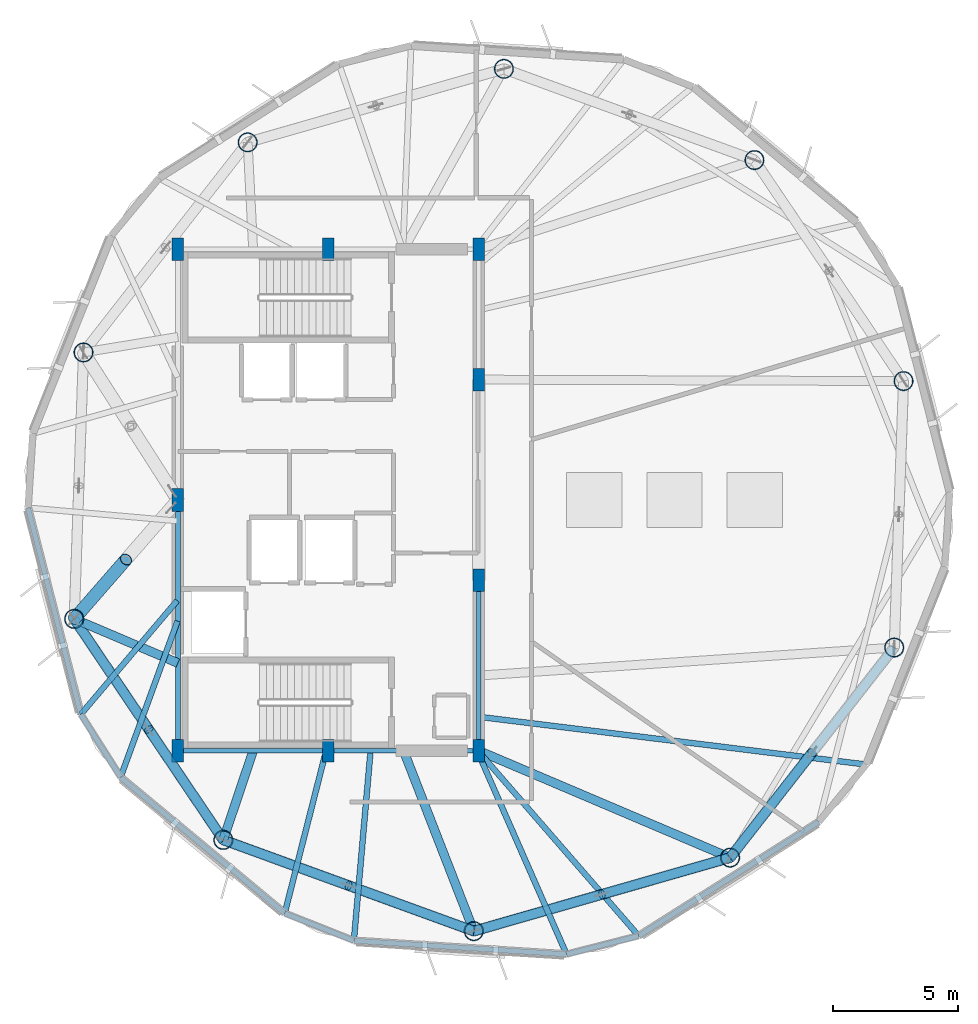
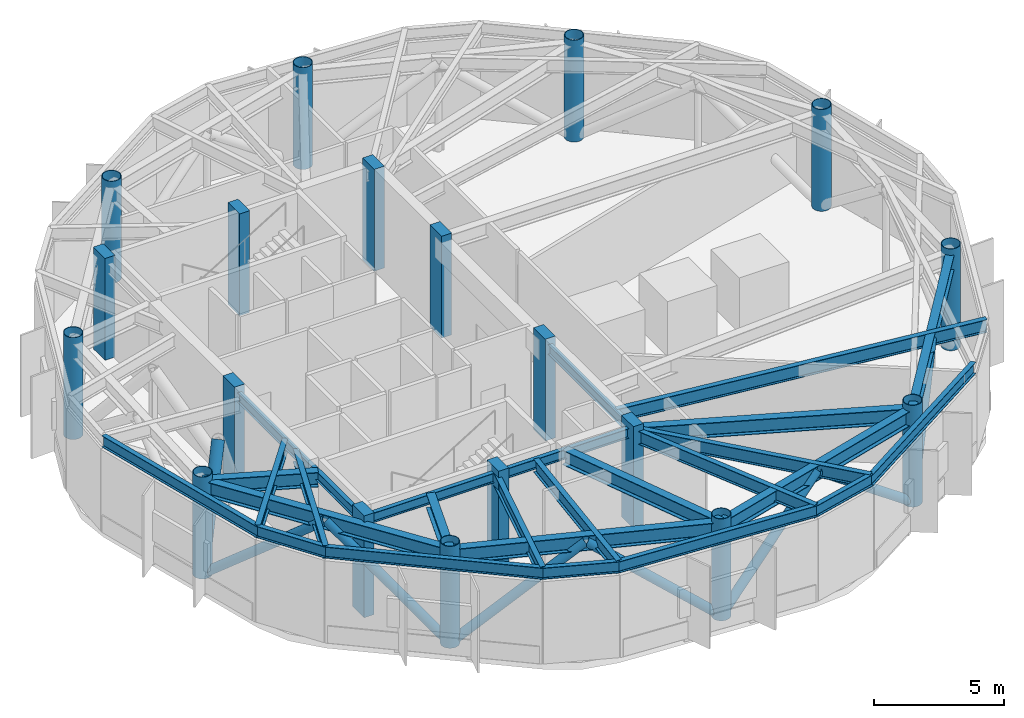
# One storey, part 1 of 14: 26 beams, 19 columns, 8 members.
"""IFC4 building model written with IfcOpenShell, lengths in metres."""

from ifc_helpers import new_model, si_unit, direction, frame, origin, origin_2d, place, context, subcontext, project, spatial, rectangle, hollow_circle, i_section, extrude, material, material_profile, profile_set, type_object, element, save


model = new_model("IFC4")

# Units and contexts
model_context = context("Model", 3, precision=1e-05, world=origin(), true_north=direction((0.0, 1.0)))
body_context = subcontext(model_context, "Body", "Model", "MODEL_VIEW")
ifc_project = project(units=[si_unit("LENGTHUNIT", "METRE"), si_unit("AREAUNIT", "SQUARE_METRE"), si_unit("VOLUMEUNIT", "CUBIC_METRE"), si_unit("PLANEANGLEUNIT", "RADIAN"), si_unit("MASSUNIT", "GRAM", prefix="KILO")], contexts=[model_context])

# Site, building, storey
site_placement = place(None, origin())
site = spatial("IfcSite", under=ifc_project, at=site_placement, CompositionType="ELEMENT")
building_placement = place(site_placement, origin())
building = spatial("IfcBuilding", under=site, at=building_placement, Name="Soratama Intermodal Tower", CompositionType="ELEMENT")
storey_placement = place(building_placement, frame((0.0, 0.0, 283.75)))
storey = spatial("IfcBuildingStorey", under=building, at=storey_placement, Name="L72", CompositionType="ELEMENT", Elevation=283.75)

# Columns
ifc_material_1 = material(Name="Structural steel ASTM A572 Grade 50", Category="steel")
ifc_material_profile_1 = material_profile(ifc_material_1, hollow_circle(Radius=0.381103515625, WallThickness=0.02490234375, at=origin_2d()), Name="CHS762X25")
ifc_profile_set_1 = profile_set([ifc_material_profile_1], Name="Structural steel ASTM A572 Grade 50")
column_type_1 = type_object("IfcColumnType", Name="COL-TURB-CHS762", PredefinedType="COLUMN", material=ifc_profile_set_1)
for number, where, z_axis, x_axis, name in (
    (1, (61.53369140625, 29.740966796875, 0.0), (0.0, 0.0, 1.0), (1.0, 0.0, 0.0), "L72 Tower Ring Column R01"),
    (2, (55.58935546875, 38.5537109375, 0.0), (0.0, 0.0, 1.0), (1.0, 0.0, 0.0), "L72 Tower Ring Column R02"),
    (3, (45.600341796875, 42.189453125, 0.0), (0.0, 0.0, 1.0), (1.0, 0.0, 0.0), "L72 Tower Ring Column R03"),
    (4, (35.3818359375, 39.259521484375, 0.0), (0.0, 0.0, 1.0), (1.0, 0.0, 0.0), "L72 Tower Ring Column R04"),
    (5, (28.83740234375, 30.8828125, 0.0), (0.0, 0.0, 1.0), (1.0, 0.0, 0.0), "L72 Tower Ring Column R05"),
    (6, (28.46630859375, 20.259033203125, 0.0), (0.0, 0.0, 1.0), (1.0, 0.0, 0.0), "L72 Tower Ring Column R06"),
    (7, (34.41064453125, 11.4462890625, 0.0), (0.0, 0.0, 1.0), (1.0, 0.0, 0.0), "L72 Tower Ring Column R07"),
    (8, (44.399658203125, 7.810546875, 0.0), (0.0, 0.0, 1.0), (1.0, 0.0, 0.0), "L72 Tower Ring Column R08"),
    (9, (54.6181640625, 10.740478515625, 0.0), (0.0, 0.0, 1.0), (1.0, 0.0, 0.0), "L72 Tower Ring Column R09"),
    (10, (61.16259765625, 19.1171875, 0.0), (0.0, 0.0, 1.0), (1.0, 0.0, 0.0), "L72 Tower Ring Column R10"),
):
    element("IfcColumn", number, at=place(storey_placement, frame(where, z_axis=z_axis, x_axis=x_axis)), inside=storey, type_object=column_type_1, Name=name, PredefinedType="COLUMN", context=body_context, shape_type="SweptSolid", body=[
        extrude(hollow_circle(Radius=0.381103515625, WallThickness=0.02490234375, at=origin_2d()), origin(), (0.0, 0.0, 1.0), 4.800048828125),
    ])
ifc_material_2 = material(Name="Concrete f'c 56 MPa", Category="concrete")
ifc_material_profile_2 = material_profile(ifc_material_2, rectangle(XDim=0.449951171875, YDim=0.89990234375, at=origin_2d()), Name="RC450X900")
ifc_profile_set_2 = profile_set([ifc_material_profile_2], Name="Concrete f'c 56 MPa")
column_type_2 = type_object("IfcColumnType", Name="PIL-CORE-450X900", PredefinedType="PILASTER", material=ifc_profile_set_2)
for number, where, z_axis, x_axis, name in (
    (11, (32.60009765625, 15.0, 0.0), (0.0, 0.0, 1.0), (1.0, 0.0, 0.0), "L72 Core Pilaster 1"),
    (12, (32.60009765625, 25.0, 0.0), (0.0, 0.0, 1.0), (1.0, 0.0, 0.0), "L72 Core Pilaster 2"),
    (13, (32.60009765625, 35.0, 0.0), (0.0, 0.0, 1.0), (1.0, 0.0, 0.0), "L72 Core Pilaster 3"),
    (14, (38.60009765625, 15.0, 0.0), (0.0, 0.0, 1.0), (1.0, 0.0, 0.0), "L72 Core Pilaster 4"),
    (15, (38.60009765625, 35.0, 0.0), (0.0, 0.0, 1.0), (1.0, 0.0, 0.0), "L72 Core Pilaster 5"),
    (16, (44.60009765625, 15.0, 0.0), (0.0, 0.0, 1.0), (1.0, 0.0, 0.0), "L72 Core Pilaster 6"),
    (17, (44.60009765625, 21.800048828125, 0.0), (0.0, 0.0, 1.0), (1.0, 0.0, 0.0), "L72 Core Pilaster 7"),
    (18, (44.60009765625, 29.800048828125, 0.0), (0.0, 0.0, 1.0), (1.0, 0.0, 0.0), "L72 Core Pilaster 8"),
    (19, (44.60009765625, 35.0, 0.0), (0.0, 0.0, 1.0), (1.0, 0.0, 0.0), "L72 Core Pilaster 9"),
):
    element("IfcColumn", number, at=place(storey_placement, frame(where, z_axis=z_axis, x_axis=x_axis)), inside=storey, type_object=column_type_2, Name=name, PredefinedType="PILASTER", context=body_context, shape_type="SweptSolid", body=[
        extrude(rectangle(XDim=0.449951171875, YDim=0.89990234375, at=origin_2d()), origin(), (0.0, 0.0, 1.0), 4.800048828125),
    ])

# Beams
ifc_material_3 = material(Name="Structural steel ASTM A992 Grade 50", Category="steel")
ifc_material_profile_3 = material_profile(ifc_material_3, i_section(OverallWidth=0.19091796875, OverallDepth=0.4599609375, WebThickness=0.010009765625, FlangeThickness=0.01611328125, FilletRadius=0.010986328125, at=origin_2d()), Name="W18X55")
ifc_profile_set_3 = profile_set([ifc_material_profile_3], Name="Structural steel ASTM A992 Grade 50")
beam_type_1 = type_object("IfcBeamType", Name="BM-FLR-W18X55", PredefinedType="BEAM", material=ifc_profile_set_3)
for number, where, z_axis, x_axis, name in (
    (20, (32.60009765625, 15.0, 4.27001953125), (1.0, 0.0, 0.0), (0.0, 1.0, 0.0), "BM-L72-CRING-01"),
    (21, (38.60009765625, 15.0, 4.27001953125), (1.0, 0.0, 0.0), (0.0, 1.0, 0.0), "BM-L72-CRING-02"),
):
    element("IfcBeam", number, at=place(storey_placement, frame(where, z_axis=z_axis, x_axis=x_axis)), inside=storey, type_object=beam_type_1, Name=name, PredefinedType="BEAM", context=body_context, shape_type="SweptSolid", body=[
        extrude(i_section(OverallWidth=0.19091796875, OverallDepth=0.4599609375, WebThickness=0.010009765625, FlangeThickness=0.01611328125, FilletRadius=0.010986328125, at=origin_2d()), origin(), (0.0, 0.0, 1.0), 6.0),
    ])
beam_1_placement = place(storey_placement, frame((44.60009765625, 15.0, 4.27001953125), z_axis=(0.0, 1.0, 0.0), x_axis=(-1.0, 0.0, 0.0)))
element("IfcBeam", 22, at=beam_1_placement, inside=storey, type_object=beam_type_1, Name="BM-L72-CRING-03", PredefinedType="BEAM", context=body_context, shape_type="SweptSolid", body=[
    extrude(i_section(OverallWidth=0.19091796875, OverallDepth=0.4599609375, WebThickness=0.010009765625, FlangeThickness=0.01611328125, FilletRadius=0.010986328125, at=origin_2d()), origin(), (0.0, 0.0, 1.0), 6.800048828125),
])
beam_2_placement = place(storey_placement, frame((32.60009765625, 25.0, 4.27001953125), z_axis=(0.0, -1.0, 0.0), x_axis=(1.0, 0.0, 0.0)))
element("IfcBeam", 23, at=beam_2_placement, inside=storey, type_object=beam_type_1, Name="BM-L72-CRING-09", PredefinedType="BEAM", context=body_context, shape_type="SweptSolid", body=[
    extrude(i_section(OverallWidth=0.19091796875, OverallDepth=0.4599609375, WebThickness=0.010009765625, FlangeThickness=0.01611328125, FilletRadius=0.010986328125, at=origin_2d()), origin(), (0.0, 0.0, 1.0), 10.0),
])
ifc_material_4 = material(Name="Structural steel ASTM A992 Grade 50", Category="steel")
ifc_material_profile_4 = material_profile(ifc_material_4, i_section(OverallWidth=0.35498046875, OverallDepth=0.695068359375, WebThickness=0.015380859375, FlangeThickness=0.02490234375, FilletRadius=0.01611328125, at=origin_2d()), Name="W27X146")
ifc_profile_set_4 = profile_set([ifc_material_profile_4], Name="Structural steel ASTM A992 Grade 50")
beam_type_2 = type_object("IfcBeamType", Name="BM-RING-W27X146", PredefinedType="BEAM", material=ifc_profile_set_4)
beam_3_placement = place(storey_placement, frame((28.466064453125, 20.259033203125, 4.152587890625), z_axis=(0.559218025165, -0.829020627204, 0.0), x_axis=(0.829020627204, 0.559218025165, 0.0)))
element("IfcBeam", 24, at=beam_3_placement, inside=storey, type_object=beam_type_2, Name="BM-L72-RING-06", PredefinedType="BEAM", context=body_context, shape_type="SweptSolid", body=[
    extrude(i_section(OverallWidth=0.35498046875, OverallDepth=0.695068359375, WebThickness=0.015380859375, FlangeThickness=0.02490234375, FilletRadius=0.01611328125, at=origin_2d()), origin(), (0.0, 0.0, 1.0), 10.630615234375),
])
for number, where, z_axis, x_axis, name in (
    (25, (34.410888671875, 11.446044921875, 4.152587890625), (0.939713598519, -0.341962501976, 0.0), (0.341962501976, 0.939713598519, 0.0), "BM-L72-RING-07"),
    (26, (44.39990234375, 7.81103515625, 4.152587890625), (0.961262636932, 0.27563407416, 0.0), (-0.27563407416, 0.961262636932, 0.0), "BM-L72-RING-08"),
    (27, (54.617919921875, 10.740966796875, 4.152587890625), (0.6157278291, 0.787958907858, 0.0), (-0.787958907858, 0.6157278291, 0.0), "BM-L72-RING-09"),
):
    element("IfcBeam", number, at=place(storey_placement, frame(where, z_axis=z_axis, x_axis=x_axis)), inside=storey, type_object=beam_type_2, Name=name, PredefinedType="BEAM", context=body_context, shape_type="SweptSolid", body=[
        extrude(i_section(OverallWidth=0.35498046875, OverallDepth=0.695068359375, WebThickness=0.015380859375, FlangeThickness=0.02490234375, FilletRadius=0.01611328125, at=origin_2d()), origin(), (0.0, 0.0, 1.0), 10.6298828125),
    ])
beam_4_placement = place(storey_placement, frame((32.60009765625, 18.5, 4.152587890625), z_axis=(-0.920165049547, 0.391530690485, 0.0), x_axis=(-0.391530690485, -0.920165049547, 0.0)))
element("IfcBeam", 28, at=beam_4_placement, inside=storey, type_object=beam_type_2, Name="BM-L72-RAD-06", PredefinedType="BEAM", context=body_context, shape_type="SweptSolid", body=[
    extrude(i_section(OverallWidth=0.35498046875, OverallDepth=0.695068359375, WebThickness=0.015380859375, FlangeThickness=0.02490234375, FilletRadius=0.01611328125, at=origin_2d()), origin(), (0.0, 0.0, 1.0), 4.49267578125),
])
beam_5_placement = place(storey_placement, frame((35.60009765625, 15.0, 4.152587890625), z_axis=(-0.317321993996, -0.948317853953, 0.0), x_axis=(0.948317853953, -0.317321993996, 0.0)))
element("IfcBeam", 29, at=beam_5_placement, inside=storey, type_object=beam_type_2, Name="BM-L72-RAD-07", PredefinedType="BEAM", context=body_context, shape_type="SweptSolid", body=[
    extrude(i_section(OverallWidth=0.35498046875, OverallDepth=0.695068359375, WebThickness=0.015380859375, FlangeThickness=0.02490234375, FilletRadius=0.01611328125, at=origin_2d()), origin(), (0.0, 0.0, 1.0), 3.74755859375),
])
beam_6_placement = place(storey_placement, frame((41.60009765625, 15.0, 4.152587890625), z_axis=(0.362907405592, -0.931825206231, 0.0), x_axis=(0.931825206231, 0.362907405592, 0.0)))
element("IfcBeam", 30, at=beam_6_placement, inside=storey, type_object=beam_type_2, Name="BM-L72-RAD-08", PredefinedType="BEAM", context=body_context, shape_type="SweptSolid", body=[
    extrude(i_section(OverallWidth=0.35498046875, OverallDepth=0.695068359375, WebThickness=0.015380859375, FlangeThickness=0.02490234375, FilletRadius=0.01611328125, at=origin_2d()), origin(), (0.0, 0.0, 1.0), 7.71484375),
])
beam_7_placement = place(storey_placement, frame((44.60009765625, 15.0, 4.152587890625), z_axis=(0.920282671955, -0.391254142087, 0.0), x_axis=(0.391254142087, 0.920282671955, 0.0)))
element("IfcBeam", 31, at=beam_7_placement, inside=storey, type_object=beam_type_2, Name="BM-L72-RAD-09", PredefinedType="BEAM", context=body_context, shape_type="SweptSolid", body=[
    extrude(i_section(OverallWidth=0.35498046875, OverallDepth=0.695068359375, WebThickness=0.015380859375, FlangeThickness=0.02490234375, FilletRadius=0.01611328125, at=origin_2d()), origin(), (0.0, 0.0, 1.0), 10.885498046875),
])
ifc_material_5 = material(Name="Structural steel ASTM A992 Grade 50", Category="steel")
ifc_material_profile_5 = material_profile(ifc_material_5, i_section(OverallWidth=0.2099609375, OverallDepth=0.537109375, WebThickness=0.010986328125, FlangeThickness=0.017333984375, FilletRadius=0.012939453125, at=origin_2d()), Name="W21X68")
ifc_profile_set_5 = profile_set([ifc_material_profile_5], Name="Structural steel ASTM A992 Grade 50")
beam_type_3 = type_object("IfcBeamType", Name="BM-SPN-W21X68", PredefinedType="SPANDREL", material=ifc_profile_set_5)
beam_8_placement = place(storey_placement, frame((26.625, 24.68896484375, 4.2314453125), z_axis=(0.247655188416, -0.968848237678, 0.0), x_axis=(0.968848237678, 0.247655188416, 0.0)))
element("IfcBeam", 32, at=beam_8_placement, inside=storey, type_object=beam_type_3, Name="BS-L72-F04", PredefinedType="SPANDREL", context=body_context, shape_type="SweptSolid", body=[
    extrude(i_section(OverallWidth=0.2099609375, OverallDepth=0.537109375, WebThickness=0.010986328125, FlangeThickness=0.017333984375, FilletRadius=0.012939453125, at=origin_2d()), origin(), (0.0, 0.0, 1.0), 8.499755859375),
])
beam_9_placement = place(storey_placement, frame((28.72998046875, 16.4541015625, 4.2314453125), z_axis=(0.534983546181, -0.844862477161, 0.0), x_axis=(0.844862477161, 0.534983546181, 0.0)))
element("IfcBeam", 33, at=beam_9_placement, inside=storey, type_object=beam_type_3, Name="BS-L72-CRN04", PredefinedType="SPANDREL", context=body_context, shape_type="SweptSolid", body=[
    extrude(i_section(OverallWidth=0.2099609375, OverallDepth=0.537109375, WebThickness=0.010986328125, FlangeThickness=0.017333984375, FilletRadius=0.012939453125, at=origin_2d()), origin(), (0.0, 0.0, 1.0), 2.96630859375),
])
beam_10_placement = place(storey_placement, frame((30.31689453125, 13.947998046875, 4.2314453125), z_axis=(0.769817509883, -0.638264053099, 0.0), x_axis=(0.638264053099, 0.769817509883, 0.0)))
element("IfcBeam", 34, at=beam_10_placement, inside=storey, type_object=beam_type_3, Name="BS-L72-F05", PredefinedType="SPANDREL", context=body_context, shape_type="SweptSolid", body=[
    extrude(i_section(OverallWidth=0.2099609375, OverallDepth=0.537109375, WebThickness=0.010986328125, FlangeThickness=0.017333984375, FilletRadius=0.012939453125, at=origin_2d()), origin(), (0.0, 0.0, 1.0), 8.499755859375),
])
beam_11_placement = place(storey_placement, frame((36.860107421875, 8.52294921875, 4.2314453125), z_axis=(0.929376455068, -0.369133315708, 0.0), x_axis=(0.369133315708, 0.929376455068, 0.0)))
element("IfcBeam", 35, at=beam_11_placement, inside=storey, type_object=beam_type_3, Name="BS-L72-CRN05", PredefinedType="SPANDREL", context=body_context, shape_type="SweptSolid", body=[
    extrude(i_section(OverallWidth=0.2099609375, OverallDepth=0.537109375, WebThickness=0.010986328125, FlangeThickness=0.017333984375, FilletRadius=0.012939453125, at=origin_2d()), origin(), (0.0, 0.0, 1.0), 2.96630859375),
])
beam_12_placement = place(storey_placement, frame((39.616943359375, 7.427978515625, 4.2314453125), z_axis=(0.997957918563, -0.063874821161, 0.0), x_axis=(0.063874821161, 0.997957918563, 0.0)))
element("IfcBeam", 36, at=beam_12_placement, inside=storey, type_object=beam_type_3, Name="BS-L72-F06", PredefinedType="SPANDREL", context=body_context, shape_type="SweptSolid", body=[
    extrude(i_section(OverallWidth=0.2099609375, OverallDepth=0.537109375, WebThickness=0.010986328125, FlangeThickness=0.017333984375, FilletRadius=0.012939453125, at=origin_2d()), origin(), (0.0, 0.0, 1.0), 8.50048828125),
])
beam_13_placement = place(storey_placement, frame((48.10009765625, 6.885009765625, 4.2314453125), z_axis=(0.968811434978, 0.247799119157, 0.0), x_axis=(-0.247799119157, 0.968811434978, 0.0)))
element("IfcBeam", 37, at=beam_13_placement, inside=storey, type_object=beam_type_3, Name="BS-L72-CRN06", PredefinedType="SPANDREL", context=body_context, shape_type="SweptSolid", body=[
    extrude(i_section(OverallWidth=0.2099609375, OverallDepth=0.537109375, WebThickness=0.010986328125, FlangeThickness=0.017333984375, FilletRadius=0.012939453125, at=origin_2d()), origin(), (0.0, 0.0, 1.0), 2.966552734375),
])
beam_14_placement = place(storey_placement, frame((50.97412109375, 7.6201171875, 4.2314453125), z_axis=(0.84487403719, 0.534965289791, 0.0), x_axis=(-0.534965289791, 0.84487403719, 0.0)))
element("IfcBeam", 38, at=beam_14_placement, inside=storey, type_object=beam_type_3, Name="BS-L72-F07", PredefinedType="SPANDREL", context=body_context, shape_type="SweptSolid", body=[
    extrude(i_section(OverallWidth=0.2099609375, OverallDepth=0.537109375, WebThickness=0.010986328125, FlangeThickness=0.017333984375, FilletRadius=0.012939453125, at=origin_2d()), origin(), (0.0, 0.0, 1.0), 8.499267578125),
])
ifc_material_6 = material(Name="Structural steel ASTM A992 Grade 50", Category="steel")
ifc_material_profile_6 = material_profile(ifc_material_6, i_section(OverallWidth=0.22900390625, OverallDepth=0.612060546875, WebThickness=0.011962890625, FlangeThickness=0.01953125, FilletRadius=0.012939453125, at=origin_2d()), Name="W24X84")
ifc_profile_set_6 = profile_set([ifc_material_profile_6], Name="Structural steel ASTM A992 Grade 50")
beam_type_4 = type_object("IfcBeamType", Name="BM-TIE-W24X84", PredefinedType="BEAM", material=ifc_profile_set_6)
beam_15_placement = place(storey_placement, frame((32.573974609375, 20.989013671875, 4.194091796875), z_axis=(-0.646604739401, -0.762825216537, 0.0), x_axis=(0.762825216537, -0.646604739401, 0.0)))
element("IfcBeam", 39, at=beam_15_placement, inside=storey, type_object=beam_type_4, Name="BM-L72-TIE1-04", PredefinedType="BEAM", context=body_context, shape_type="SweptSolid", body=[
    extrude(i_section(OverallWidth=0.22900390625, OverallDepth=0.612060546875, WebThickness=0.011962890625, FlangeThickness=0.01953125, FilletRadius=0.012939453125, at=origin_2d()), origin(), (0.0, 0.0, 1.0), 5.94482421875),
])
beam_16_placement = place(storey_placement, frame((32.5859375, 20.173095703125, 4.194091796875), z_axis=(-0.342458931421, -0.939532798943, 0.0), x_axis=(0.939532798943, -0.342458931421, 0.0)))
element("IfcBeam", 40, at=beam_16_placement, inside=storey, type_object=beam_type_4, Name="BM-L72-TIE0-05", PredefinedType="BEAM", context=body_context, shape_type="SweptSolid", body=[
    extrude(i_section(OverallWidth=0.22900390625, OverallDepth=0.612060546875, WebThickness=0.011962890625, FlangeThickness=0.01953125, FilletRadius=0.012939453125, at=origin_2d()), origin(), (0.0, 0.0, 1.0), 6.625732421875),
])
beam_17_placement = place(storey_placement, frame((38.5, 14.9609375, 4.194091796875), z_axis=(-0.246839288731, -0.969056430524, 0.0), x_axis=(0.969056430524, -0.246839288731, 0.0)))
element("IfcBeam", 41, at=beam_17_placement, inside=storey, type_object=beam_type_4, Name="BM-L72-TIE1-05", PredefinedType="BEAM", context=body_context, shape_type="SweptSolid", body=[
    extrude(i_section(OverallWidth=0.22900390625, OverallDepth=0.612060546875, WebThickness=0.011962890625, FlangeThickness=0.01953125, FilletRadius=0.012939453125, at=origin_2d()), origin(), (0.0, 0.0, 1.0), 6.6435546875),
])
beam_18_placement = place(storey_placement, frame((40.280029296875, 14.9599609375, 4.194091796875), z_axis=(-0.087696859681, -0.9961472084, 0.0), x_axis=(0.9961472084, -0.087696859681, 0.0)))
element("IfcBeam", 42, at=beam_18_placement, inside=storey, type_object=beam_type_4, Name="BM-L72-TIE0-06", PredefinedType="BEAM", context=body_context, shape_type="SweptSolid", body=[
    extrude(i_section(OverallWidth=0.22900390625, OverallDepth=0.612060546875, WebThickness=0.011962890625, FlangeThickness=0.01953125, FilletRadius=0.012939453125, at=origin_2d()), origin(), (0.0, 0.0, 1.0), 7.56103515625),
])
beam_19_placement = place(storey_placement, frame((44.552001953125, 14.962890625, 4.194091796875), z_axis=(0.402152456013, -0.915572718097, 0.0), x_axis=(0.915572718097, 0.402152456013, 0.0)))
element("IfcBeam", 43, at=beam_19_placement, inside=storey, type_object=beam_type_4, Name="BM-L72-TIE1-06", PredefinedType="BEAM", context=body_context, shape_type="SweptSolid", body=[
    extrude(i_section(OverallWidth=0.22900390625, OverallDepth=0.612060546875, WebThickness=0.011962890625, FlangeThickness=0.01953125, FilletRadius=0.012939453125, at=origin_2d()), origin(), (0.0, 0.0, 1.0), 8.82275390625),
])
beam_20_placement = place(storey_placement, frame((44.592041015625, 14.969970703125, 4.194091796875), z_axis=(0.655646393968, -0.755068080425, 0.0), x_axis=(0.755068080425, 0.655646393968, 0.0)))
element("IfcBeam", 44, at=beam_20_placement, inside=storey, type_object=beam_type_4, Name="BM-L72-TIE0-07", PredefinedType="BEAM", context=body_context, shape_type="SweptSolid", body=[
    extrude(i_section(OverallWidth=0.22900390625, OverallDepth=0.612060546875, WebThickness=0.011962890625, FlangeThickness=0.01953125, FilletRadius=0.012939453125, at=origin_2d()), origin(), (0.0, 0.0, 1.0), 9.734130859375),
])
beam_21_placement = place(storey_placement, frame((44.639892578125, 16.35107421875, 4.194091796875), z_axis=(0.992482621703, -0.122385643018, 0.0), x_axis=(0.122385643018, 0.992482621703, 0.0)))
element("IfcBeam", 45, at=beam_21_placement, inside=storey, type_object=beam_type_4, Name="BM-L72-TIE0-08", PredefinedType="BEAM", context=body_context, shape_type="SweptSolid", body=[
    extrude(i_section(OverallWidth=0.22900390625, OverallDepth=0.612060546875, WebThickness=0.011962890625, FlangeThickness=0.01953125, FilletRadius=0.012939453125, at=origin_2d()), origin(), (0.0, 0.0, 1.0), 15.52587890625),
])

# Members
ifc_material_7 = material(Name="Structural steel ASTM A500 Grade C", Category="steel")
ifc_material_profile_7 = material_profile(ifc_material_7, hollow_circle(Radius=0.203125, WallThickness=0.01611328125, at=origin_2d()), Name="CHS406X16")
ifc_profile_set_7 = profile_set([ifc_material_profile_7], Name="Structural steel ASTM A500 Grade C")
member_type_1 = type_object("IfcMemberType", Name="MB-BLT-CHS406", PredefinedType="BRACE", material=ifc_profile_set_7)
for number, where, z_axis, x_axis, name in (
    (46, (28.46630859375, 20.259033203125, 0.010009765625), (0.441050568282, -0.653895326674, 0.61473189113), (0.829041921221, 0.559186456255, 0.0), "L72 Belt Truss Brace A 06"),
    (47, (34.41064453125, 11.4462890625, 0.010009765625), (-0.44106101681, 0.65387458776, 0.614746454184), (-0.829027557682, -0.559207750843, 0.0), "L72 Belt Truss Brace B 06"),
    (48, (34.41064453125, 11.4462890625, 0.010009765625), (0.741170733379, -0.269760351977, 0.614731889919), (0.342015963537, 0.939694142094, 0.0), "L72 Belt Truss Brace A 07"),
    (49, (44.399658203125, 7.810546875, 0.010009765625), (-0.741154405592, 0.269767595642, 0.614748396837), (-0.342030726507, -0.939688768755, 0.0), "L72 Belt Truss Brace B 07"),
    (50, (44.399658203125, 7.810546875, 0.010009765625), (0.758172708172, 0.217412644992, 0.614740503286), (-0.275649210927, 0.961258296461, 0.0), "L72 Belt Truss Brace A 08"),
    (51, (54.6181640625, 10.740478515625, 0.010009765625), (-0.758194082631, -0.217372156718, 0.614728459197), (0.275594597389, -0.961273955691, 0.0), "L72 Belt Truss Brace B 08"),
    (52, (54.6181640625, 10.740478515625, 0.010009765625), (0.485577133297, 0.621544527258, 0.614733477414), (-0.788027159225, 0.615640476515, 0.0), "L72 Belt Truss Brace A 09"),
):
    element("IfcMember", number, at=place(storey_placement, frame(where, z_axis=z_axis, x_axis=x_axis)), inside=storey, type_object=member_type_1, Name=name, PredefinedType="BRACE", context=body_context, shape_type="SweptSolid", body=[
        extrude(hollow_circle(Radius=0.203125, WallThickness=0.01611328125, at=origin_2d()), origin(), (0.0, 0.0, 1.0), 6.73876953125),
    ])
ifc_material_8 = material(Name="Structural steel ASTM A500 Grade C", Category="steel")
ifc_material_profile_8 = material_profile(ifc_material_8, hollow_circle(Radius=0.25390625, WallThickness=0.01904296875, at=origin_2d()), Name="CHS508X19")
ifc_profile_set_8 = profile_set([ifc_material_profile_8], Name="Structural steel ASTM A500 Grade C")
member_type_2 = type_object("IfcMemberType", Name="MB-OUT-CHS508", PredefinedType="BRACE", material=ifc_profile_set_8)
member_placement = place(storey_placement, frame((28.46630859375, 20.259033203125, 0.010009765625), z_axis=(0.397394344612, 0.455740809335, 0.796478530519), x_axis=(-0.75370568093, 0.657212101633, 0.0)))
element("IfcMember", 53, at=member_placement, inside=storey, type_object=member_type_2, Name="L72 Outrigger Brace Outer 06", PredefinedType="BRACE", context=body_context, shape_type="SweptSolid", body=[
    extrude(hollow_circle(Radius=0.25390625, WallThickness=0.01904296875, at=origin_2d()), origin(), (0.0, 0.0, 1.0), 5.201171875),
])

save(model, "model.ifc")
